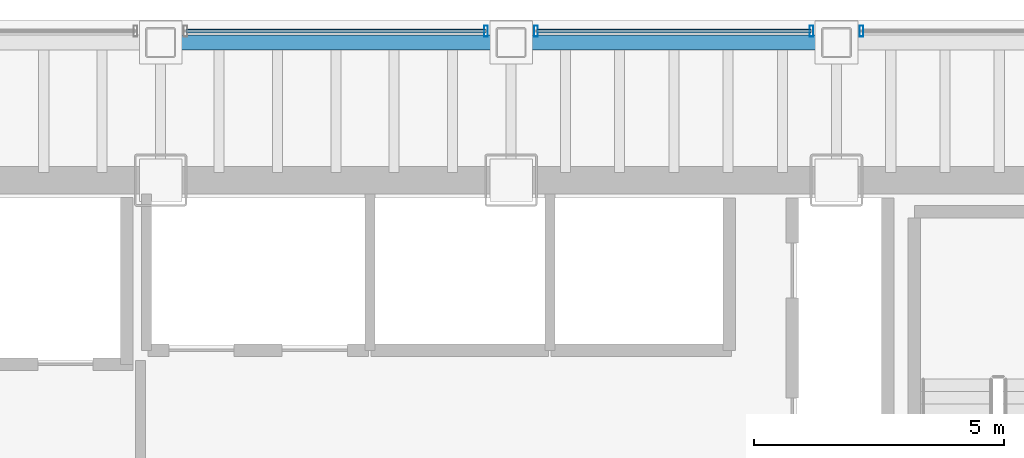
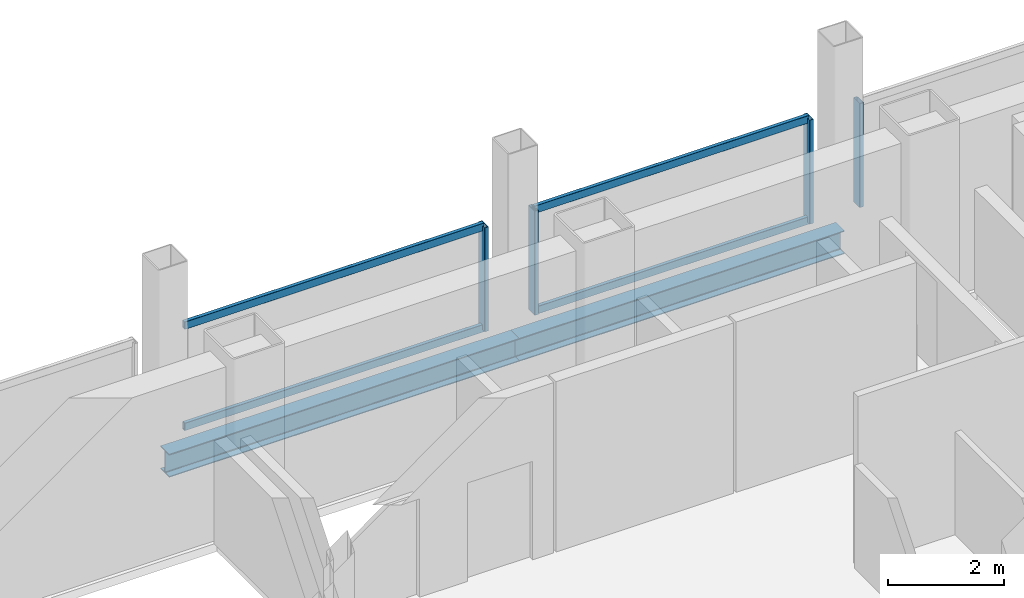
# One storey, part 15 of 21: 8 members, 2 beams, 3 elements without a shape of their own.
"""IFC4 building model written with IfcOpenShell, lengths in metres."""

from ifc_helpers import new_model, si_unit, direction, frame, origin, origin_2d, place, context, subcontext, project, spatial, hollow_rectangle, i_section, extrude, material, material_profile, profile_set, type_object, element, aggregate, save


model = new_model("IFC4")

# Units and contexts
model_context = context("Model", 3, precision=1e-05, world=origin(), true_north=direction((0.0, 1.0)))
body_context = subcontext(model_context, "Body", "Model", "MODEL_VIEW")
ifc_project = project(units=[si_unit("LENGTHUNIT", "METRE"), si_unit("AREAUNIT", "SQUARE_METRE"), si_unit("VOLUMEUNIT", "CUBIC_METRE"), si_unit("PLANEANGLEUNIT", "RADIAN"), si_unit("MASSUNIT", "GRAM", prefix="KILO")], contexts=[model_context])

# Site, building, storey
site_placement = place(None, origin())
site = spatial("IfcSite", under=ifc_project, at=site_placement, CompositionType="ELEMENT")
building_placement = place(site_placement, origin())
building = spatial("IfcBuilding", under=site, at=building_placement, Name="Noeulbin Bourse Tower", CompositionType="ELEMENT")
storey_placement = place(building_placement, frame((0.0, 0.0, 96.699951171875)))
storey = spatial("IfcBuildingStorey", under=building, at=storey_placement, Name="L24", CompositionType="ELEMENT", Elevation=96.699951171875)

# Beams
ifc_material_1 = material(Name="Steel S355", Category="steel")
ifc_material_profile_1 = material_profile(ifc_material_1, i_section(OverallWidth=0.300048828125, OverallDepth=0.488037109375, WebThickness=0.010986328125, FlangeThickness=0.01806640625, FilletRadius=0.02197265625, at=origin_2d()), Name="H-488x300x11x18", Category="LoadBearing")
ifc_profile_set_1 = profile_set([ifc_material_profile_1], Name="Steel S355")
beam_type = type_object("IfcBeamType", Name="BM-SPN-488", PredefinedType="SPANDREL", material=ifc_profile_set_1)
beam_1_placement = place(storey_placement, frame((24.0, 41.050048828125, -0.424072265625), z_axis=(1.0, 0.0, 0.0), x_axis=(0.0, 1.0, 0.0)))
element("IfcBeam", 1, at=beam_1_placement, inside=storey, type_object=beam_type, Name="North Spandrel L24-2", PredefinedType="SPANDREL", context=body_context, shape_type="SweptSolid", body=[
    extrude(i_section(OverallWidth=0.300048828125, OverallDepth=0.488037109375, WebThickness=0.010986328125, FlangeThickness=0.01806640625, FilletRadius=0.02197265625, at=origin_2d()), origin(), (0.0, 0.0, 1.0), 7.0),
])
beam_2_placement = place(storey_placement, frame((31.0, 41.050048828125, -0.424072265625), z_axis=(1.0, 0.0, 0.0), x_axis=(0.0, 1.0, 0.0)))
element("IfcBeam", 2, at=beam_2_placement, inside=storey, type_object=beam_type, Name="North Spandrel L24-3", PredefinedType="SPANDREL", context=body_context, shape_type="SweptSolid", body=[
    extrude(i_section(OverallWidth=0.300048828125, OverallDepth=0.488037109375, WebThickness=0.010986328125, FlangeThickness=0.01806640625, FilletRadius=0.02197265625, at=origin_2d()), origin(), (0.0, 0.0, 1.0), 6.5),
])

# Curtain wall, member
ifc_material_2 = material(Name="Dark Solar-Control Double Glazing", Category="glass")
curtain_wall_type = type_object("IfcCurtainWallType", Name="CW-SYS-2", PredefinedType="NOTDEFINED", material=ifc_material_2)
curtain_wall_1_placement = place(storey_placement, origin())
curtain_wall_1 = element("IfcCurtainWall", 3, at=curtain_wall_1_placement, inside=storey, type_object=curtain_wall_type, Name="Unitised Curtain Wall CW-L24-N-S3", PredefinedType="NOTDEFINED")
ifc_material_3 = material(Name="Anodised Aluminium 6063-T6", Category="aluminium")
ifc_material_profile_2 = material_profile(ifc_material_3, hollow_rectangle(XDim=0.074951171875, YDim=0.219970703125, WallThickness=0.0048828125, InnerFilletRadius=0.00244140625, OuterFilletRadius=0.0048828125, at=origin_2d()), Name="ALU-MULL-75x220x5", Category="LoadBearing")
ifc_profile_set_2 = profile_set([ifc_material_profile_2], Name="Anodised Aluminium 6063-T6")
member_type_1 = type_object("IfcMemberType", Name="CW-SYS-2-MUL", PredefinedType="MULLION", material=ifc_profile_set_2)
member_1_placement = place(storey_placement, frame((30.5, 41.280029296875, -0.02001953125), z_axis=(0.0, 0.0, 1.0), x_axis=(1.0, 0.0, 0.0)))
member_1 = element("IfcMember", 4, at=member_1_placement, type_object=member_type_1, Name="Curtain Wall Mullion CW-L24-N-S3-M01", PredefinedType="MULLION", context=body_context, shape_type="SweptSolid", body=[
    extrude(hollow_rectangle(XDim=0.074951171875, YDim=0.219970703125, WallThickness=0.0048828125, InnerFilletRadius=0.00244140625, OuterFilletRadius=0.0048828125, at=origin_2d()), origin(), (0.0, 0.0, 1.0), 2.199951171875),
])

# Curtain wall, members
curtain_wall_2_placement = place(storey_placement, origin())
curtain_wall_2 = element("IfcCurtainWall", 5, at=curtain_wall_2_placement, inside=storey, type_object=curtain_wall_type, Name="Unitised Curtain Wall CW-L24-N-S4", PredefinedType="NOTDEFINED")
member_2_placement = place(storey_placement, frame((31.5, 41.280029296875, -0.02001953125), z_axis=(0.0, 0.0, 1.0), x_axis=(1.0, 0.0, 0.0)))
member_2 = element("IfcMember", 6, at=member_2_placement, type_object=member_type_1, Name="Curtain Wall Mullion CW-L24-N-S4-M00", PredefinedType="MULLION", context=body_context, shape_type="SweptSolid", body=[
    extrude(hollow_rectangle(XDim=0.074951171875, YDim=0.219970703125, WallThickness=0.0048828125, InnerFilletRadius=0.00244140625, OuterFilletRadius=0.0048828125, at=origin_2d()), origin(), (0.0, 0.0, 1.0), 2.199951171875),
])
member_3_placement = place(storey_placement, frame((37.0, 41.280029296875, -0.02001953125), z_axis=(0.0, 0.0, 1.0), x_axis=(1.0, 0.0, 0.0)))
member_3 = element("IfcMember", 7, at=member_3_placement, type_object=member_type_1, Name="Curtain Wall Mullion CW-L24-N-S4-M01", PredefinedType="MULLION", context=body_context, shape_type="SweptSolid", body=[
    extrude(hollow_rectangle(XDim=0.074951171875, YDim=0.219970703125, WallThickness=0.0048828125, InnerFilletRadius=0.00244140625, OuterFilletRadius=0.0048828125, at=origin_2d()), origin(), (0.0, 0.0, 1.0), 2.199951171875),
])

# Curtain wall, member
curtain_wall_3_placement = place(storey_placement, origin())
curtain_wall_3 = element("IfcCurtainWall", 8, at=curtain_wall_3_placement, inside=storey, type_object=curtain_wall_type, Name="Unitised Curtain Wall CW-L24-N-S5", PredefinedType="NOTDEFINED")
member_4_placement = place(storey_placement, frame((38.0, 41.280029296875, -0.02001953125), z_axis=(0.0, 0.0, 1.0), x_axis=(1.0, 0.0, 0.0)))
member_4 = element("IfcMember", 9, at=member_4_placement, type_object=member_type_1, Name="Curtain Wall Mullion CW-L24-N-S5-M00", PredefinedType="MULLION", context=body_context, shape_type="SweptSolid", body=[
    extrude(hollow_rectangle(XDim=0.074951171875, YDim=0.219970703125, WallThickness=0.0048828125, InnerFilletRadius=0.00244140625, OuterFilletRadius=0.0048828125, at=origin_2d()), origin(), (0.0, 0.0, 1.0), 2.199951171875),
])
aggregate(curtain_wall_3, [member_4])

# Member
ifc_material_profile_3 = material_profile(ifc_material_3, hollow_rectangle(XDim=0.074951171875, YDim=0.159912109375, WallThickness=0.0048828125, InnerFilletRadius=0.00244140625, OuterFilletRadius=0.0048828125, at=origin_2d()), Name="ALU-TRAN-75x160x5", Category="LoadBearing")
ifc_profile_set_3 = profile_set([ifc_material_profile_3], Name="Anodised Aluminium 6063-T6")
member_type_2 = type_object("IfcMemberType", Name="CW-SYS-2-TRN", PredefinedType="USERDEFINED", material=ifc_profile_set_3)
member_5_placement = place(storey_placement, frame((24.510009765625, 41.280029296875, 0.010009765625), z_axis=(1.0, 0.0, 0.0), x_axis=(0.0, 1.0, 0.0)))
member_5 = element("IfcMember", 10, at=member_5_placement, type_object=member_type_2, Name="Curtain Wall Transom CW-L24-N-S3-T00", ObjectType="TRANSOM", PredefinedType="USERDEFINED", context=body_context, shape_type="SweptSolid", body=[
    extrude(hollow_rectangle(XDim=0.074951171875, YDim=0.159912109375, WallThickness=0.0048828125, InnerFilletRadius=0.00244140625, OuterFilletRadius=0.0048828125, at=origin_2d()), origin(), (0.0, 0.0, 1.0), 5.97998046875),
])

member_6_placement = place(storey_placement, frame((24.510009765625, 41.280029296875, 2.150146484375), z_axis=(1.0, 0.0, 0.0), x_axis=(0.0, 1.0, 0.0)))
member_6 = element("IfcMember", 11, at=member_6_placement, type_object=member_type_2, Name="Curtain Wall Transom CW-L24-N-S3-T01", ObjectType="TRANSOM", PredefinedType="USERDEFINED", context=body_context, shape_type="SweptSolid", body=[
    extrude(hollow_rectangle(XDim=0.074951171875, YDim=0.159912109375, WallThickness=0.0048828125, InnerFilletRadius=0.00244140625, OuterFilletRadius=0.0048828125, at=origin_2d()), origin(), (0.0, 0.0, 1.0), 5.97998046875),
])

aggregate(curtain_wall_1, [member_1, member_5, member_6])

member_7_placement = place(storey_placement, frame((31.510009765625, 41.280029296875, 0.010009765625), z_axis=(1.0, 0.0, 0.0), x_axis=(0.0, 1.0, 0.0)))
member_7 = element("IfcMember", 12, at=member_7_placement, type_object=member_type_2, Name="Curtain Wall Transom CW-L24-N-S4-T00", ObjectType="TRANSOM", PredefinedType="USERDEFINED", context=body_context, shape_type="SweptSolid", body=[
    extrude(hollow_rectangle(XDim=0.074951171875, YDim=0.159912109375, WallThickness=0.0048828125, InnerFilletRadius=0.00244140625, OuterFilletRadius=0.0048828125, at=origin_2d()), origin(), (0.0, 0.0, 1.0), 5.47998046875),
])

member_8_placement = place(storey_placement, frame((31.510009765625, 41.280029296875, 2.150146484375), z_axis=(1.0, 0.0, 0.0), x_axis=(0.0, 1.0, 0.0)))
member_8 = element("IfcMember", 13, at=member_8_placement, type_object=member_type_2, Name="Curtain Wall Transom CW-L24-N-S4-T01", ObjectType="TRANSOM", PredefinedType="USERDEFINED", context=body_context, shape_type="SweptSolid", body=[
    extrude(hollow_rectangle(XDim=0.074951171875, YDim=0.159912109375, WallThickness=0.0048828125, InnerFilletRadius=0.00244140625, OuterFilletRadius=0.0048828125, at=origin_2d()), origin(), (0.0, 0.0, 1.0), 5.47998046875),
])

aggregate(curtain_wall_2, [member_2, member_3, member_7, member_8])

save(model, "model.ifc")
